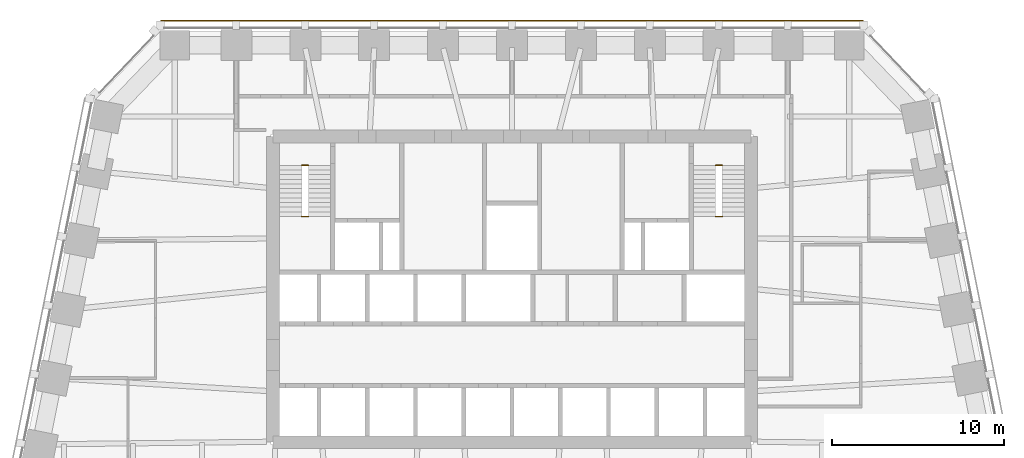
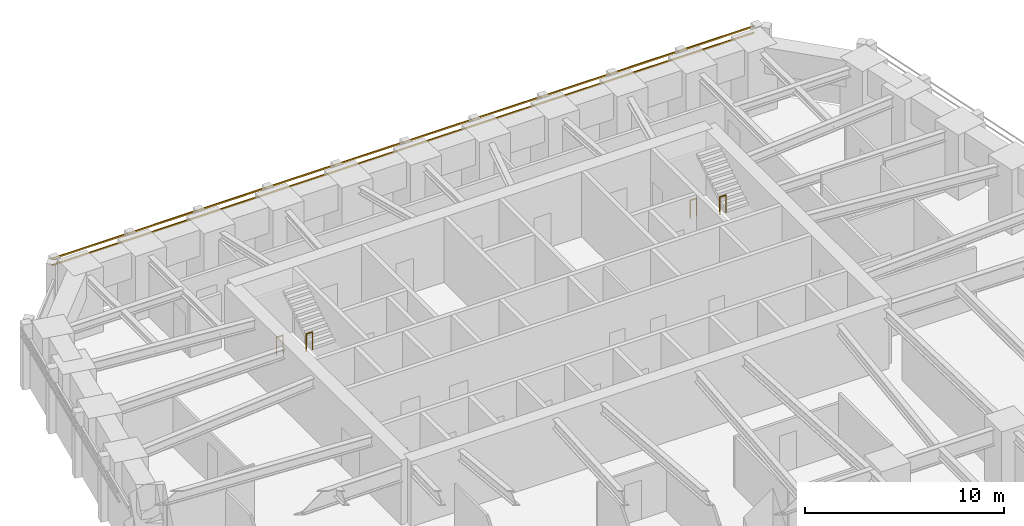
# One storey, part 10 of 10: 4 railings, 2 shading devices.
"""IFC4 building model written with IfcOpenShell, lengths in metres."""

from ifc_helpers import new_model, si_unit, direction, frame, origin, origin_2d, place, context, subcontext, project, spatial, rectangle, circle, extrude, material, material_profile, profile_set, type_object, element, save


model = new_model("IFC4")

# Units and contexts
model_context = context("Model", 3, precision=1e-05, world=origin(), true_north=direction((0.0, 1.0)))
body_context = subcontext(model_context, "Body", "Model", "MODEL_VIEW")
ifc_project = project(units=[si_unit("LENGTHUNIT", "METRE"), si_unit("AREAUNIT", "SQUARE_METRE"), si_unit("VOLUMEUNIT", "CUBIC_METRE"), si_unit("PLANEANGLEUNIT", "RADIAN"), si_unit("MASSUNIT", "GRAM", prefix="KILO")], contexts=[model_context])

# Site, building, storey
site_placement = place(None, origin())
site = spatial("IfcSite", under=ifc_project, at=site_placement, CompositionType="ELEMENT")
building_placement = place(site_placement, origin())
building = spatial("IfcBuilding", under=site, at=building_placement, Name="Isbrekke Arena Tower", CompositionType="ELEMENT")
storey_placement = place(building_placement, frame((0.0, 0.0, 163.0)))
storey = spatial("IfcBuildingStorey", under=building, at=storey_placement, Name="L37", CompositionType="ELEMENT", Elevation=163.0)

# Shading devices
ifc_material_1 = material(Name="Terracotta", Category="masonry")
ifc_material_profile = material_profile(ifc_material_1, rectangle(XDim=0.06005859375, YDim=0.06005859375, at=origin_2d()), Name="BAGUETTE 60X60")
ifc_profile_set = profile_set([ifc_material_profile], Name="Terracotta")
shading_device_type = type_object("IfcShadingDeviceType", Name="BG1 TERRACOTTA BAGUETTE 60 x 60", PredefinedType="USERDEFINED", material=ifc_profile_set)
for number, where, z_axis, x_axis, name in (
    (1, (20.39990234375, 30.60498046875, 3.280029296875), (-1.0, 0.0, 0.0), (0.0, -1.0, 0.0), "BG1 terracotta baguette N1 L37"),
    (2, (20.39990234375, 30.60498046875, 3.679931640625), (-1.0, 0.0, 0.0), (0.0, -1.0, 0.0), "BG1 terracotta baguette N2 L37"),
):
    element("IfcShadingDevice", number, at=place(storey_placement, frame(where, z_axis=z_axis, x_axis=x_axis)), inside=storey, type_object=shading_device_type, Name=name, ObjectType="TERRACOTTA BAGUETTE", PredefinedType="USERDEFINED", context=body_context, shape_type="SweptSolid", body=[
        extrude(rectangle(XDim=0.06005859375, YDim=0.06005859375, at=origin_2d()), origin(), (0.0, 0.0, 1.0), 40.7998046875),
    ])

# Railings
ifc_material_2 = material(Name="Steel stair guard, vertical bars, steel handrail", Category="steel")
railing_type = type_object("IfcRailingType", Name="GR3 STAIR WELL GUARD 1100", PredefinedType="GUARDRAIL", material=ifc_material_2)
for number, where, name in (
    (3, (-12.199951171875, 22.199951171875, 0.0), "GR3 stair well guard ST1 L37"),
    (4, (-12.199951171875, 19.22998046875, 2.0), "GR3 stair well guard ST1 L37"),
    (5, (11.824951171875, 22.199951171875, 0.0), "GR3 stair well guard ST2 L37"),
    (6, (11.824951171875, 19.22998046875, 2.0), "GR3 stair well guard ST2 L37"),
):
    element("IfcRailing", number, at=place(storey_placement, frame(where)), inside=storey, type_object=railing_type, Name=name, PredefinedType="GUARDRAIL", context=body_context, shape_type="SweptSolid", body=[
        extrude(circle(Radius=0.02392578125, at=origin_2d()), frame((0.0, 0.0, 1.076171875), z_axis=(1.0, 0.0, 0.0), x_axis=(0.0, 1.0, 0.0)), (0.0, 0.0, 1.0), 0.375),
        extrude(circle(Radius=0.02099609375, at=origin_2d()), origin(), (0.0, 0.0, 1.0), 1.052001953125),
        extrude(circle(Radius=0.02099609375, at=origin_2d()), frame((0.375, 0.0, 0.0)), (0.0, 0.0, 1.0), 1.052001953125),
    ])

save(model, "model.ifc")
